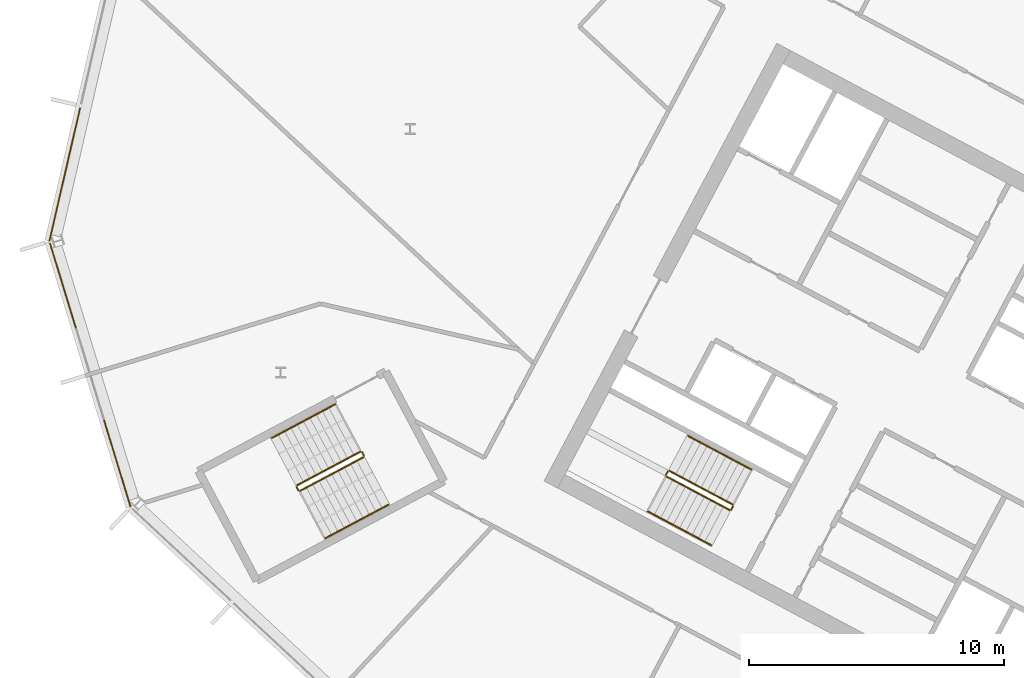
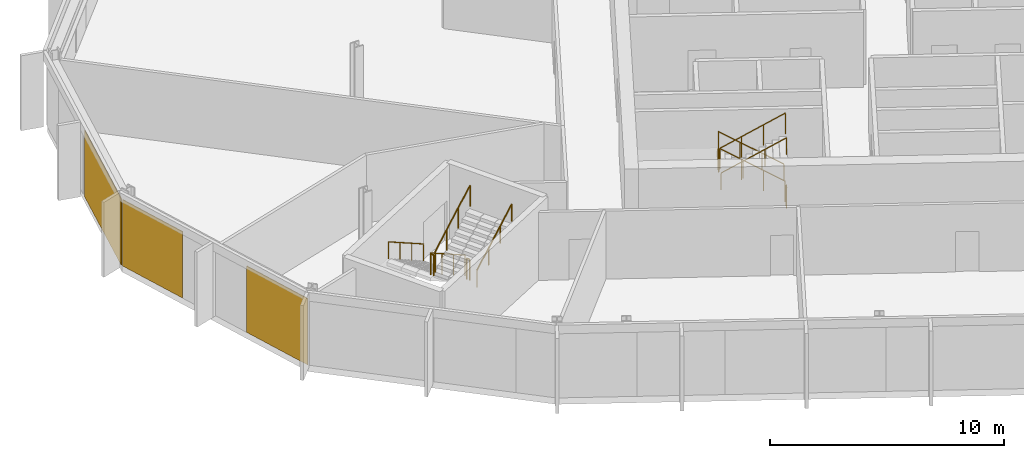
# One storey, part 21 of 27: 12 railings, 3 coverings, 2 elements without a shape of their own.
"""IFC4 building model written with IfcOpenShell, lengths in metres."""

from ifc_helpers import new_model, si_unit, direction, frame, origin, origin_2d, place, context, subcontext, project, spatial, polyline, rectangle, outline, extrude, material, layer, layer_set, type_object, element, aggregate, save


model = new_model("IFC4")

# Units and contexts
model_context = context("Model", 3, precision=1e-05, world=origin(), true_north=direction((0.0, 1.0)))
body_context = subcontext(model_context, "Body", "Model", "MODEL_VIEW")
ifc_project = project(units=[si_unit("LENGTHUNIT", "METRE"), si_unit("AREAUNIT", "SQUARE_METRE"), si_unit("VOLUMEUNIT", "CUBIC_METRE"), si_unit("PLANEANGLEUNIT", "RADIAN"), si_unit("MASSUNIT", "GRAM", prefix="KILO")], contexts=[model_context])

# Site, building, storey
site_placement = place(None, origin())
site = spatial("IfcSite", under=ifc_project, at=site_placement, CompositionType="ELEMENT")
building_placement = place(site_placement, origin())
building = spatial("IfcBuilding", under=site, at=building_placement, Name="Cormorant Relay Tower", CompositionType="ELEMENT")
storey_placement = place(building_placement, frame((0.0, 0.0, 224.699951171875)))
storey = spatial("IfcBuildingStorey", under=building, at=storey_placement, Name="L49", CompositionType="ELEMENT", Elevation=224.699951171875)

# Curtain wall, covering
ifc_material_1 = material(Name="Aluminium 6063-T6 anodised bronze", Category="aluminium")
ifc_layer_1 = layer(ifc_material_1, 0.199951171875)
ifc_layer_set_1 = layer_set([ifc_layer_1], Name="CW1 unitised bronze curtain wall with vertical fins")
curtain_wall_type = type_object("IfcCurtainWallType", Name="CW1 unitised bronze curtain wall with vertical fins", PredefinedType="NOTDEFINED", material=ifc_layer_set_1)
curtain_wall_1_placement = place(storey_placement, origin())
curtain_wall_1 = element("IfcCurtainWall", 1, at=curtain_wall_1_placement, inside=storey, type_object=curtain_wall_type, Name="CW1 curtain wall 13", PredefinedType="NOTDEFINED")
ifc_material_2 = material(Name="Pale bronze anodised aluminium insulated panel", Category="aluminium")
ifc_layer_2 = layer(ifc_material_2, 0.0400390625)
ifc_layer_set_2 = layer_set([ifc_layer_2], Name="CW1 pale bronze insulated panel 40")
covering_type = type_object("IfcCoveringType", Name="CW1 pale bronze insulated panel 40", PredefinedType="CLADDING", material=ifc_layer_set_2)
covering_1_placement = place(storey_placement, frame((-60.136474609375, 23.00927734375, 0.0), z_axis=(0.0, 0.0, 1.0), x_axis=(-0.224951054344, -0.974370064785, 0.0)))
covering_1 = element("IfcCovering", 2, at=covering_1_placement, type_object=covering_type, Name="CW1 panel S02", PredefinedType="CLADDING", context=body_context, shape_type="SweptSolid", body=[
    extrude(rectangle(XDim=5.360107421875, YDim=0.0400390625, at=origin_2d()), origin(), (0.0, 0.0, 1.0), 3.449951171875),
])
aggregate(curtain_wall_1, [covering_1])

# Curtain wall, coverings
curtain_wall_2_placement = place(storey_placement, origin())
curtain_wall_2 = element("IfcCurtainWall", 3, at=curtain_wall_2_placement, inside=storey, type_object=curtain_wall_type, Name="CW1 curtain wall 14", PredefinedType="NOTDEFINED")
covering_2_placement = place(storey_placement, frame((-60.20751953125, 18.6494140625, 0.0), z_axis=(0.0, 0.0, 1.0), x_axis=(0.292371704723, -0.956304755963, 0.0)))
covering_2 = element("IfcCovering", 4, at=covering_2_placement, type_object=covering_type, Name="CW1 panel S00", PredefinedType="CLADDING", context=body_context, shape_type="SweptSolid", body=[
    extrude(rectangle(XDim=3.485107421875, YDim=0.0400390625, at=origin_2d()), origin(), (0.0, 0.0, 1.0), 3.449951171875),
])
covering_3_placement = place(storey_placement, frame((-58.081298828125, 11.6943359375, 0.0), z_axis=(0.0, 0.0, 1.0), x_axis=(0.292371704723, -0.956304755963, 0.0)))
covering_3 = element("IfcCovering", 5, at=covering_3_placement, type_object=covering_type, Name="CW1 panel S03", PredefinedType="CLADDING", context=body_context, shape_type="SweptSolid", body=[
    extrude(rectangle(XDim=3.560302734375, YDim=0.0400390625, at=origin_2d()), origin(), (0.0, 0.0, 1.0), 3.449951171875),
])
aggregate(curtain_wall_2, [covering_2, covering_3])

# Railings
ifc_material_3 = material(Name="Steel ASTM A572 Grade 50 (Fy 345 MPa)", Category="steel")
railing_type_1 = type_object("IfcRailingType", Name="Stair guard 1100", PredefinedType="GUARDRAIL", material=ifc_material_3)
railing_1_placement = place(storey_placement, frame((-33.9921875, 10.08935546875, 0.17724609375)))
element("IfcRailing", 6, at=railing_1_placement, inside=storey, type_object=railing_type_1, Name="L49 A2 stair guard 1", PredefinedType="GUARDRAIL", context=body_context, shape_type="SweptSolid", body=[
    extrude(outline(polyline([(0.022216796875, 0.00927734375), (0.00927734375, 0.022216796875), (-0.00927734375, 0.022216796875), (-0.022216796875, 0.00927734375), (-0.022216796875, -0.00927734375), (-0.00927734375, -0.022216796875), (0.00927734375, -0.022216796875), (0.022216796875, -0.00927734375), (0.022216796875, 0.00927734375)])), frame((0.0, 0.0, 1.076171875), z_axis=(-0.746001213114, 0.396649272309, 0.534931345884), x_axis=(-0.469465464807, -0.882950835185, 0.0)), (0.0, 0.0, 1.0), 3.31396484375),
    extrude(outline(polyline([(0.019287109375, 0.008056640625), (0.008056640625, 0.019287109375), (-0.008056640625, 0.019287109375), (-0.019287109375, 0.008056640625), (-0.019287109375, -0.008056640625), (-0.008056640625, -0.019287109375), (0.008056640625, -0.019287109375), (0.019287109375, -0.008056640625), (0.019287109375, 0.008056640625)])), origin(), (0.0, 0.0, 1.0), 1.052001953125),
    extrude(outline(polyline([(0.019287109375, 0.008056640625), (0.008056640625, 0.019287109375), (-0.008056640625, 0.019287109375), (-0.019287109375, 0.008056640625), (-0.019287109375, -0.008056640625), (-0.008056640625, -0.019287109375), (0.008056640625, -0.019287109375), (0.019287109375, -0.008056640625), (0.019287109375, 0.008056640625)])), frame((-0.823974609375, 0.438232421875, 0.5908203125)), (0.0, 0.0, 1.0), 1.052001953125),
    extrude(outline(polyline([(0.019287109375, 0.008056640625), (0.008056640625, 0.019287109375), (-0.008056640625, 0.019287109375), (-0.019287109375, 0.008056640625), (-0.019287109375, -0.008056640625), (-0.008056640625, -0.019287109375), (0.008056640625, -0.019287109375), (0.019287109375, -0.008056640625), (0.019287109375, 0.008056640625)])), frame((-1.648193359375, 0.876220703125, 1.181884765625)), (0.0, 0.0, 1.0), 1.052001953125),
    extrude(outline(polyline([(0.019287109375, 0.008056640625), (0.008056640625, 0.019287109375), (-0.008056640625, 0.019287109375), (-0.019287109375, 0.008056640625), (-0.019287109375, -0.008056640625), (-0.008056640625, -0.019287109375), (0.008056640625, -0.019287109375), (0.019287109375, -0.008056640625), (0.019287109375, 0.008056640625)])), frame((-2.47216796875, 1.314453125, 1.772705078125)), (0.0, 0.0, 1.0), 1.052001953125),
])
railing_2_placement = place(storey_placement, frame((-36.531982421875, 11.38330078125, 1.949951171875)))
element("IfcRailing", 7, at=railing_2_placement, inside=storey, type_object=railing_type_1, Name="L49 A2 stair guard 2", PredefinedType="GUARDRAIL", context=body_context, shape_type="SweptSolid", body=[
    extrude(outline(polyline([(0.022216796875, 0.00927734375), (0.00927734375, 0.022216796875), (-0.00927734375, 0.022216796875), (-0.022216796875, 0.00927734375), (-0.022216796875, -0.00927734375), (-0.00927734375, -0.022216796875), (0.00927734375, -0.022216796875), (0.022216796875, -0.00927734375), (0.022216796875, 0.00927734375)])), frame((0.0, 0.0, 1.076171875), z_axis=(-0.469828648786, -0.882757634224, 0.0), x_axis=(0.882757634224, -0.469828648786, 0.0)), (0.0, 0.0, 1.0), 0.150146484375),
    extrude(outline(polyline([(0.019287109375, 0.008056640625), (0.008056640625, 0.019287109375), (-0.008056640625, 0.019287109375), (-0.019287109375, 0.008056640625), (-0.019287109375, -0.008056640625), (-0.008056640625, -0.019287109375), (0.008056640625, -0.019287109375), (0.019287109375, -0.008056640625), (0.019287109375, 0.008056640625)])), origin(), (0.0, 0.0, 1.0), 1.052001953125),
    extrude(outline(polyline([(0.019287109375, 0.008056640625), (0.008056640625, 0.019287109375), (-0.008056640625, 0.019287109375), (-0.019287109375, 0.008056640625), (-0.019287109375, -0.008056640625), (-0.008056640625, -0.019287109375), (0.008056640625, -0.019287109375), (0.019287109375, -0.008056640625), (0.019287109375, 0.008056640625)])), frame((-0.070556640625, -0.132568359375, 0.0)), (0.0, 0.0, 1.0), 1.052001953125),
])
railing_3_placement = place(storey_placement, frame((-36.581787109375, 11.18310546875, 2.12744140625)))
element("IfcRailing", 8, at=railing_3_placement, inside=storey, type_object=railing_type_1, Name="L49 A2 stair guard 3", PredefinedType="GUARDRAIL", context=body_context, shape_type="SweptSolid", body=[
    extrude(outline(polyline([(0.022216796875, 0.00927734375), (0.00927734375, 0.022216796875), (-0.00927734375, 0.022216796875), (-0.022216796875, 0.00927734375), (-0.022216796875, -0.00927734375), (-0.00927734375, -0.022216796875), (0.00927734375, -0.022216796875), (0.022216796875, -0.00927734375), (0.022216796875, 0.00927734375)])), frame((0.0, 0.0, 1.076171875), z_axis=(0.746001213114, -0.396649272309, 0.534931345884), x_axis=(0.469465464807, 0.882950835185, 0.0)), (0.0, 0.0, 1.0), 3.31396484375),
    extrude(outline(polyline([(0.019287109375, 0.008056640625), (0.008056640625, 0.019287109375), (-0.008056640625, 0.019287109375), (-0.019287109375, 0.008056640625), (-0.019287109375, -0.008056640625), (-0.008056640625, -0.019287109375), (0.008056640625, -0.019287109375), (0.019287109375, -0.008056640625), (0.019287109375, 0.008056640625)])), origin(), (0.0, 0.0, 1.0), 1.052001953125),
    extrude(outline(polyline([(0.019287109375, 0.008056640625), (0.008056640625, 0.019287109375), (-0.008056640625, 0.019287109375), (-0.019287109375, 0.008056640625), (-0.019287109375, -0.008056640625), (-0.008056640625, -0.019287109375), (0.008056640625, -0.019287109375), (0.019287109375, -0.008056640625), (0.019287109375, 0.008056640625)])), frame((0.823974609375, -0.438232421875, 0.5908203125)), (0.0, 0.0, 1.0), 1.052001953125),
    extrude(outline(polyline([(0.019287109375, 0.008056640625), (0.008056640625, 0.019287109375), (-0.008056640625, 0.019287109375), (-0.019287109375, 0.008056640625), (-0.019287109375, -0.008056640625), (-0.008056640625, -0.019287109375), (0.008056640625, -0.019287109375), (0.019287109375, -0.008056640625), (0.019287109375, 0.008056640625)])), frame((1.648193359375, -0.876220703125, 1.181884765625)), (0.0, 0.0, 1.0), 1.052001953125),
    extrude(outline(polyline([(0.019287109375, 0.008056640625), (0.008056640625, 0.019287109375), (-0.008056640625, 0.019287109375), (-0.019287109375, 0.008056640625), (-0.019287109375, -0.008056640625), (-0.008056640625, -0.019287109375), (0.008056640625, -0.019287109375), (0.019287109375, -0.008056640625), (0.019287109375, 0.008056640625)])), frame((2.47216796875, -1.314453125, 1.772705078125)), (0.0, 0.0, 1.0), 1.052001953125),
])
railing_4_placement = place(storey_placement, frame((-33.971435546875, 10.021728515625, 0.0)))
element("IfcRailing", 9, at=railing_4_placement, inside=storey, type_object=railing_type_1, Name="L49 A2 stair guard 4", PredefinedType="GUARDRAIL", context=body_context, shape_type="SweptSolid", body=[
    extrude(outline(polyline([(0.022216796875, 0.00927734375), (0.00927734375, 0.022216796875), (-0.00927734375, 0.022216796875), (-0.022216796875, 0.00927734375), (-0.022216796875, -0.00927734375), (-0.00927734375, -0.022216796875), (0.00927734375, -0.022216796875), (0.022216796875, -0.00927734375), (0.022216796875, 0.00927734375)])), frame((0.0, 0.0, 1.076171875), z_axis=(-0.470503732759, -0.882398003998, 0.0), x_axis=(0.882398003998, -0.470503732759, 0.0)), (0.0, 0.0, 1.0), 0.14990234375),
    extrude(outline(polyline([(0.019287109375, 0.008056640625), (0.008056640625, 0.019287109375), (-0.008056640625, 0.019287109375), (-0.019287109375, 0.008056640625), (-0.019287109375, -0.008056640625), (-0.008056640625, -0.019287109375), (0.008056640625, -0.019287109375), (0.019287109375, -0.008056640625), (0.019287109375, 0.008056640625)])), origin(), (0.0, 0.0, 1.0), 1.052001953125),
    extrude(outline(polyline([(0.019287109375, 0.008056640625), (0.008056640625, 0.019287109375), (-0.008056640625, 0.019287109375), (-0.019287109375, 0.008056640625), (-0.019287109375, -0.008056640625), (-0.008056640625, -0.019287109375), (0.008056640625, -0.019287109375), (0.019287109375, -0.008056640625), (0.019287109375, 0.008056640625)])), frame((-0.070556640625, -0.13232421875, 0.0)), (0.0, 0.0, 1.0), 1.052001953125),
])
railing_5_placement = place(storey_placement, frame((-48.5693359375, 12.155517578125, 0.17724609375)))
element("IfcRailing", 10, at=railing_5_placement, inside=storey, type_object=railing_type_1, Name="L49 RP1 stair guard 1", PredefinedType="GUARDRAIL", context=body_context, shape_type="SweptSolid", body=[
    extrude(outline(polyline([(0.022216796875, 0.00927734375), (0.00927734375, 0.022216796875), (-0.00927734375, 0.022216796875), (-0.022216796875, 0.00927734375), (-0.022216796875, -0.00927734375), (-0.00927734375, -0.022216796875), (0.00927734375, -0.022216796875), (0.022216796875, -0.00927734375), (0.022216796875, 0.00927734375)])), frame((0.0, 0.0, 1.076171875), z_axis=(-0.746012083385, -0.396689549623, 0.534886317514), x_axis=(0.469497295046, -0.882933910293, 0.0)), (0.0, 0.0, 1.0), 3.314208984375),
    extrude(outline(polyline([(0.019287109375, 0.008056640625), (0.008056640625, 0.019287109375), (-0.008056640625, 0.019287109375), (-0.019287109375, 0.008056640625), (-0.019287109375, -0.008056640625), (-0.008056640625, -0.019287109375), (0.008056640625, -0.019287109375), (0.019287109375, -0.008056640625), (0.019287109375, 0.008056640625)])), origin(), (0.0, 0.0, 1.0), 1.052001953125),
    extrude(outline(polyline([(0.019287109375, 0.008056640625), (0.008056640625, 0.019287109375), (-0.008056640625, 0.019287109375), (-0.019287109375, 0.008056640625), (-0.019287109375, -0.008056640625), (-0.008056640625, -0.019287109375), (0.008056640625, -0.019287109375), (0.019287109375, -0.008056640625), (0.019287109375, 0.008056640625)])), frame((-0.82421875, -0.438232421875, 0.5908203125)), (0.0, 0.0, 1.0), 1.052001953125),
    extrude(outline(polyline([(0.019287109375, 0.008056640625), (0.008056640625, 0.019287109375), (-0.008056640625, 0.019287109375), (-0.019287109375, 0.008056640625), (-0.019287109375, -0.008056640625), (-0.008056640625, -0.019287109375), (0.008056640625, -0.019287109375), (0.019287109375, -0.008056640625), (0.019287109375, 0.008056640625)])), frame((-1.648193359375, -0.87646484375, 1.181884765625)), (0.0, 0.0, 1.0), 1.052001953125),
    extrude(outline(polyline([(0.019287109375, 0.008056640625), (0.008056640625, 0.019287109375), (-0.008056640625, 0.019287109375), (-0.019287109375, 0.008056640625), (-0.019287109375, -0.008056640625), (-0.008056640625, -0.019287109375), (0.008056640625, -0.019287109375), (0.019287109375, -0.008056640625), (0.019287109375, 0.008056640625)])), frame((-2.472412109375, -1.314697265625, 1.772705078125)), (0.0, 0.0, 1.0), 1.052001953125),
])
railing_6_placement = place(storey_placement, frame((-51.062255859375, 10.773193359375, 1.949951171875)))
element("IfcRailing", 11, at=railing_6_placement, inside=storey, type_object=railing_type_1, Name="L49 RP1 stair guard 2", PredefinedType="GUARDRAIL", context=body_context, shape_type="SweptSolid", body=[
    extrude(outline(polyline([(0.022216796875, 0.00927734375), (0.00927734375, 0.022216796875), (-0.00927734375, 0.022216796875), (-0.022216796875, 0.00927734375), (-0.022216796875, -0.00927734375), (-0.00927734375, -0.022216796875), (0.00927734375, -0.022216796875), (0.022216796875, -0.00927734375), (0.022216796875, 0.00927734375)])), frame((0.0, 0.0, 1.076171875), z_axis=(0.469234640946, -0.883073525669, 0.0), x_axis=(0.883073525669, 0.469234640946, 0.0)), (0.0, 0.0, 1.0), 0.14990234375),
    extrude(outline(polyline([(0.019287109375, 0.008056640625), (0.008056640625, 0.019287109375), (-0.008056640625, 0.019287109375), (-0.019287109375, 0.008056640625), (-0.019287109375, -0.008056640625), (-0.008056640625, -0.019287109375), (0.008056640625, -0.019287109375), (0.019287109375, -0.008056640625), (0.019287109375, 0.008056640625)])), origin(), (0.0, 0.0, 1.0), 1.052001953125),
    extrude(outline(polyline([(0.019287109375, 0.008056640625), (0.008056640625, 0.019287109375), (-0.008056640625, 0.019287109375), (-0.019287109375, 0.008056640625), (-0.019287109375, -0.008056640625), (-0.008056640625, -0.019287109375), (0.008056640625, -0.019287109375), (0.019287109375, -0.008056640625), (0.019287109375, 0.008056640625)])), frame((0.0703125, -0.13232421875, 0.0)), (0.0, 0.0, 1.0), 1.052001953125),
])
railing_7_placement = place(storey_placement, frame((-50.92431640625, 10.6201171875, 2.12744140625)))
element("IfcRailing", 12, at=railing_7_placement, inside=storey, type_object=railing_type_1, Name="L49 RP1 stair guard 3", PredefinedType="GUARDRAIL", context=body_context, shape_type="SweptSolid", body=[
    extrude(outline(polyline([(0.022216796875, 0.00927734375), (0.00927734375, 0.022216796875), (-0.00927734375, 0.022216796875), (-0.022216796875, 0.00927734375), (-0.022216796875, -0.00927734375), (-0.00927734375, -0.022216796875), (0.00927734375, -0.022216796875), (0.022216796875, -0.00927734375), (0.022216796875, 0.00927734375)])), frame((0.0, 0.0, 1.076171875), z_axis=(0.746033882577, 0.396627473466, 0.534901947407), x_axis=(-0.469429322983, 0.882970050864, 0.0)), (0.0, 0.0, 1.0), 3.31396484375),
    extrude(outline(polyline([(0.019287109375, 0.008056640625), (0.008056640625, 0.019287109375), (-0.008056640625, 0.019287109375), (-0.019287109375, 0.008056640625), (-0.019287109375, -0.008056640625), (-0.008056640625, -0.019287109375), (0.008056640625, -0.019287109375), (0.019287109375, -0.008056640625), (0.019287109375, 0.008056640625)])), origin(), (0.0, 0.0, 1.0), 1.052001953125),
    extrude(outline(polyline([(0.019287109375, 0.008056640625), (0.008056640625, 0.019287109375), (-0.008056640625, 0.019287109375), (-0.019287109375, 0.008056640625), (-0.019287109375, -0.008056640625), (-0.008056640625, -0.019287109375), (0.008056640625, -0.019287109375), (0.019287109375, -0.008056640625), (0.019287109375, 0.008056640625)])), frame((0.82421875, 0.438232421875, 0.5908203125)), (0.0, 0.0, 1.0), 1.052001953125),
    extrude(outline(polyline([(0.019287109375, 0.008056640625), (0.008056640625, 0.019287109375), (-0.008056640625, 0.019287109375), (-0.019287109375, 0.008056640625), (-0.019287109375, -0.008056640625), (-0.008056640625, -0.019287109375), (0.008056640625, -0.019287109375), (0.019287109375, -0.008056640625), (0.019287109375, 0.008056640625)])), frame((1.648193359375, 0.876220703125, 1.181884765625)), (0.0, 0.0, 1.0), 1.052001953125),
    extrude(outline(polyline([(0.019287109375, 0.008056640625), (0.008056640625, 0.019287109375), (-0.008056640625, 0.019287109375), (-0.019287109375, 0.008056640625), (-0.019287109375, -0.008056640625), (-0.008056640625, -0.019287109375), (0.008056640625, -0.019287109375), (0.019287109375, -0.008056640625), (0.019287109375, 0.008056640625)])), frame((2.472412109375, 1.314453125, 1.772705078125)), (0.0, 0.0, 1.0), 1.052001953125),
])
railing_8_placement = place(storey_placement, frame((-48.501708984375, 12.134765625, 0.0)))
element("IfcRailing", 13, at=railing_8_placement, inside=storey, type_object=railing_type_1, Name="L49 RP1 stair guard 4", PredefinedType="GUARDRAIL", context=body_context, shape_type="SweptSolid", body=[
    extrude(outline(polyline([(0.022216796875, 0.00927734375), (0.00927734375, 0.022216796875), (-0.00927734375, 0.022216796875), (-0.022216796875, 0.00927734375), (-0.022216796875, -0.00927734375), (-0.00927734375, -0.022216796875), (0.00927734375, -0.022216796875), (0.022216796875, -0.00927734375), (0.022216796875, 0.00927734375)])), frame((0.0, 0.0, 1.076171875), z_axis=(0.46856034887, -0.8834314911, 0.0), x_axis=(0.8834314911, 0.46856034887, 0.0)), (0.0, 0.0, 1.0), 0.150146484375),
    extrude(outline(polyline([(0.019287109375, 0.008056640625), (0.008056640625, 0.019287109375), (-0.008056640625, 0.019287109375), (-0.019287109375, 0.008056640625), (-0.019287109375, -0.008056640625), (-0.008056640625, -0.019287109375), (0.008056640625, -0.019287109375), (0.019287109375, -0.008056640625), (0.019287109375, 0.008056640625)])), origin(), (0.0, 0.0, 1.0), 1.052001953125),
    extrude(outline(polyline([(0.019287109375, 0.008056640625), (0.008056640625, 0.019287109375), (-0.008056640625, 0.019287109375), (-0.019287109375, 0.008056640625), (-0.019287109375, -0.008056640625), (-0.008056640625, -0.019287109375), (0.008056640625, -0.019287109375), (0.019287109375, -0.008056640625), (0.019287109375, 0.008056640625)])), frame((0.0703125, -0.132568359375, 0.0)), (0.0, 0.0, 1.0), 1.052001953125),
])
ifc_material_4 = material(Name="Steel ASTM A572 Grade 50 (Fy 345 MPa)", Category="steel")
railing_type_2 = type_object("IfcRailingType", Name="Stair handrail 900", PredefinedType="HANDRAIL", material=ifc_material_4)
railing_9_placement = place(storey_placement, frame((-33.264404296875, 11.4580078125, 0.17724609375)))
element("IfcRailing", 14, at=railing_9_placement, inside=storey, type_object=railing_type_2, Name="L49 A2 stair handrail 1", PredefinedType="HANDRAIL", context=body_context, shape_type="SweptSolid", body=[
    extrude(outline(polyline([(0.022216796875, 0.00927734375), (0.00927734375, 0.022216796875), (-0.00927734375, 0.022216796875), (-0.022216796875, 0.00927734375), (-0.022216796875, -0.00927734375), (-0.00927734375, -0.022216796875), (0.00927734375, -0.022216796875), (0.022216796875, -0.00927734375), (0.022216796875, 0.00927734375)])), frame((0.0, 0.0, 0.8759765625), z_axis=(-0.746033882577, 0.396627473466, 0.534901947407), x_axis=(-0.469429322983, -0.882970050864, 0.0)), (0.0, 0.0, 1.0), 3.31396484375),
    extrude(outline(polyline([(0.019287109375, 0.008056640625), (0.008056640625, 0.019287109375), (-0.008056640625, 0.019287109375), (-0.019287109375, 0.008056640625), (-0.019287109375, -0.008056640625), (-0.008056640625, -0.019287109375), (0.008056640625, -0.019287109375), (0.019287109375, -0.008056640625), (0.019287109375, 0.008056640625)])), origin(), (0.0, 0.0, 1.0), 0.851806640625),
    extrude(outline(polyline([(0.019287109375, 0.008056640625), (0.008056640625, 0.019287109375), (-0.008056640625, 0.019287109375), (-0.019287109375, 0.008056640625), (-0.019287109375, -0.008056640625), (-0.008056640625, -0.019287109375), (0.008056640625, -0.019287109375), (0.019287109375, -0.008056640625), (0.019287109375, 0.008056640625)])), frame((-0.82421875, 0.438232421875, 0.5908203125)), (0.0, 0.0, 1.0), 0.851806640625),
    extrude(outline(polyline([(0.019287109375, 0.008056640625), (0.008056640625, 0.019287109375), (-0.008056640625, 0.019287109375), (-0.019287109375, 0.008056640625), (-0.019287109375, -0.008056640625), (-0.008056640625, -0.019287109375), (0.008056640625, -0.019287109375), (0.019287109375, -0.008056640625), (0.019287109375, 0.008056640625)])), frame((-1.648193359375, 0.876220703125, 1.181884765625)), (0.0, 0.0, 1.0), 0.851806640625),
    extrude(outline(polyline([(0.019287109375, 0.008056640625), (0.008056640625, 0.019287109375), (-0.008056640625, 0.019287109375), (-0.019287109375, 0.008056640625), (-0.019287109375, -0.008056640625), (-0.008056640625, -0.019287109375), (0.008056640625, -0.019287109375), (0.019287109375, -0.008056640625), (0.019287109375, 0.008056640625)])), frame((-2.472412109375, 1.314453125, 1.772705078125)), (0.0, 0.0, 1.0), 0.851806640625),
])
railing_10_placement = place(storey_placement, frame((-37.3095703125, 9.814453125, 2.12744140625)))
element("IfcRailing", 15, at=railing_10_placement, inside=storey, type_object=railing_type_2, Name="L49 A2 stair handrail 2", PredefinedType="HANDRAIL", context=body_context, shape_type="SweptSolid", body=[
    extrude(outline(polyline([(0.022216796875, 0.00927734375), (0.00927734375, 0.022216796875), (-0.00927734375, 0.022216796875), (-0.022216796875, 0.00927734375), (-0.022216796875, -0.00927734375), (-0.00927734375, -0.022216796875), (0.00927734375, -0.022216796875), (0.022216796875, -0.00927734375), (0.022216796875, 0.00927734375)])), frame((0.0, 0.0, 0.8759765625), z_axis=(0.746033882577, -0.396627473466, 0.534901947407), x_axis=(0.469429322983, 0.882970050864, 0.0)), (0.0, 0.0, 1.0), 3.31396484375),
    extrude(outline(polyline([(0.019287109375, 0.008056640625), (0.008056640625, 0.019287109375), (-0.008056640625, 0.019287109375), (-0.019287109375, 0.008056640625), (-0.019287109375, -0.008056640625), (-0.008056640625, -0.019287109375), (0.008056640625, -0.019287109375), (0.019287109375, -0.008056640625), (0.019287109375, 0.008056640625)])), origin(), (0.0, 0.0, 1.0), 0.851806640625),
    extrude(outline(polyline([(0.019287109375, 0.008056640625), (0.008056640625, 0.019287109375), (-0.008056640625, 0.019287109375), (-0.019287109375, 0.008056640625), (-0.019287109375, -0.008056640625), (-0.008056640625, -0.019287109375), (0.008056640625, -0.019287109375), (0.019287109375, -0.008056640625), (0.019287109375, 0.008056640625)])), frame((0.82421875, -0.438232421875, 0.5908203125)), (0.0, 0.0, 1.0), 0.851806640625),
    extrude(outline(polyline([(0.019287109375, 0.008056640625), (0.008056640625, 0.019287109375), (-0.008056640625, 0.019287109375), (-0.019287109375, 0.008056640625), (-0.019287109375, -0.008056640625), (-0.008056640625, -0.019287109375), (0.008056640625, -0.019287109375), (0.019287109375, -0.008056640625), (0.019287109375, 0.008056640625)])), frame((1.648193359375, -0.876220703125, 1.181884765625)), (0.0, 0.0, 1.0), 0.851806640625),
    extrude(outline(polyline([(0.019287109375, 0.008056640625), (0.008056640625, 0.019287109375), (-0.008056640625, 0.019287109375), (-0.019287109375, 0.008056640625), (-0.019287109375, -0.008056640625), (-0.008056640625, -0.019287109375), (0.008056640625, -0.019287109375), (0.019287109375, -0.008056640625), (0.019287109375, 0.008056640625)])), frame((2.472412109375, -1.314453125, 1.772705078125)), (0.0, 0.0, 1.0), 0.851806640625),
])
railing_11_placement = place(storey_placement, frame((-49.55517578125, 14.009521484375, 0.17724609375)))
element("IfcRailing", 16, at=railing_11_placement, inside=storey, type_object=railing_type_2, Name="L49 RP1 stair handrail 1", PredefinedType="HANDRAIL", context=body_context, shape_type="SweptSolid", body=[
    extrude(outline(polyline([(0.022216796875, 0.00927734375), (0.00927734375, 0.022216796875), (-0.00927734375, 0.022216796875), (-0.022216796875, 0.00927734375), (-0.022216796875, -0.00927734375), (-0.00927734375, -0.022216796875), (0.00927734375, -0.022216796875), (0.022216796875, -0.00927734375), (0.022216796875, 0.00927734375)])), frame((0.0, 0.0, 0.8759765625), z_axis=(-0.746033882577, -0.396627473466, 0.534901947407), x_axis=(0.469429322983, -0.882970050864, 0.0)), (0.0, 0.0, 1.0), 3.31396484375),
    extrude(outline(polyline([(0.019287109375, 0.008056640625), (0.008056640625, 0.019287109375), (-0.008056640625, 0.019287109375), (-0.019287109375, 0.008056640625), (-0.019287109375, -0.008056640625), (-0.008056640625, -0.019287109375), (0.008056640625, -0.019287109375), (0.019287109375, -0.008056640625), (0.019287109375, 0.008056640625)])), origin(), (0.0, 0.0, 1.0), 0.851806640625),
    extrude(outline(polyline([(0.019287109375, 0.008056640625), (0.008056640625, 0.019287109375), (-0.008056640625, 0.019287109375), (-0.019287109375, 0.008056640625), (-0.019287109375, -0.008056640625), (-0.008056640625, -0.019287109375), (0.008056640625, -0.019287109375), (0.019287109375, -0.008056640625), (0.019287109375, 0.008056640625)])), frame((-0.82421875, -0.438232421875, 0.5908203125)), (0.0, 0.0, 1.0), 0.851806640625),
    extrude(outline(polyline([(0.019287109375, 0.008056640625), (0.008056640625, 0.019287109375), (-0.008056640625, 0.019287109375), (-0.019287109375, 0.008056640625), (-0.019287109375, -0.008056640625), (-0.008056640625, -0.019287109375), (0.008056640625, -0.019287109375), (0.019287109375, -0.008056640625), (0.019287109375, 0.008056640625)])), frame((-1.648193359375, -0.876220703125, 1.181884765625)), (0.0, 0.0, 1.0), 0.851806640625),
    extrude(outline(polyline([(0.019287109375, 0.008056640625), (0.008056640625, 0.019287109375), (-0.008056640625, 0.019287109375), (-0.019287109375, 0.008056640625), (-0.019287109375, -0.008056640625), (-0.008056640625, -0.019287109375), (0.008056640625, -0.019287109375), (0.019287109375, -0.008056640625), (0.019287109375, 0.008056640625)])), frame((-2.472412109375, -1.314453125, 1.772705078125)), (0.0, 0.0, 1.0), 0.851806640625),
])
railing_12_placement = place(storey_placement, frame((-49.9384765625, 8.765869140625, 2.12744140625)))
element("IfcRailing", 17, at=railing_12_placement, inside=storey, type_object=railing_type_2, Name="L49 RP1 stair handrail 2", PredefinedType="HANDRAIL", context=body_context, shape_type="SweptSolid", body=[
    extrude(outline(polyline([(0.022216796875, 0.00927734375), (0.00927734375, 0.022216796875), (-0.00927734375, 0.022216796875), (-0.022216796875, 0.00927734375), (-0.022216796875, -0.00927734375), (-0.00927734375, -0.022216796875), (0.00927734375, -0.022216796875), (0.022216796875, -0.00927734375), (0.022216796875, 0.00927734375)])), frame((0.0, 0.0, 0.8759765625), z_axis=(0.746012083385, 0.396689549623, 0.534886317514), x_axis=(-0.469497295046, 0.882933910293, 0.0)), (0.0, 0.0, 1.0), 3.314208984375),
    extrude(outline(polyline([(0.019287109375, 0.008056640625), (0.008056640625, 0.019287109375), (-0.008056640625, 0.019287109375), (-0.019287109375, 0.008056640625), (-0.019287109375, -0.008056640625), (-0.008056640625, -0.019287109375), (0.008056640625, -0.019287109375), (0.019287109375, -0.008056640625), (0.019287109375, 0.008056640625)])), origin(), (0.0, 0.0, 1.0), 0.851806640625),
    extrude(outline(polyline([(0.019287109375, 0.008056640625), (0.008056640625, 0.019287109375), (-0.008056640625, 0.019287109375), (-0.019287109375, 0.008056640625), (-0.019287109375, -0.008056640625), (-0.008056640625, -0.019287109375), (0.008056640625, -0.019287109375), (0.019287109375, -0.008056640625), (0.019287109375, 0.008056640625)])), frame((0.82421875, 0.438232421875, 0.5908203125)), (0.0, 0.0, 1.0), 0.851806640625),
    extrude(outline(polyline([(0.019287109375, 0.008056640625), (0.008056640625, 0.019287109375), (-0.008056640625, 0.019287109375), (-0.019287109375, 0.008056640625), (-0.019287109375, -0.008056640625), (-0.008056640625, -0.019287109375), (0.008056640625, -0.019287109375), (0.019287109375, -0.008056640625), (0.019287109375, 0.008056640625)])), frame((1.648193359375, 0.87646484375, 1.181884765625)), (0.0, 0.0, 1.0), 0.851806640625),
    extrude(outline(polyline([(0.019287109375, 0.008056640625), (0.008056640625, 0.019287109375), (-0.008056640625, 0.019287109375), (-0.019287109375, 0.008056640625), (-0.019287109375, -0.008056640625), (-0.008056640625, -0.019287109375), (0.008056640625, -0.019287109375), (0.019287109375, -0.008056640625), (0.019287109375, 0.008056640625)])), frame((2.472412109375, 1.314697265625, 1.772705078125)), (0.0, 0.0, 1.0), 0.851806640625),
])

save(model, "model.ifc")
